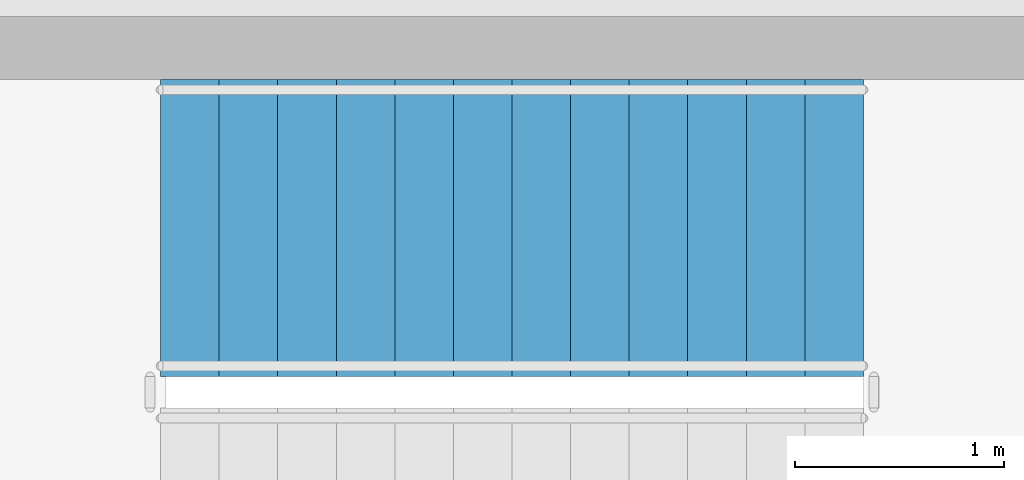
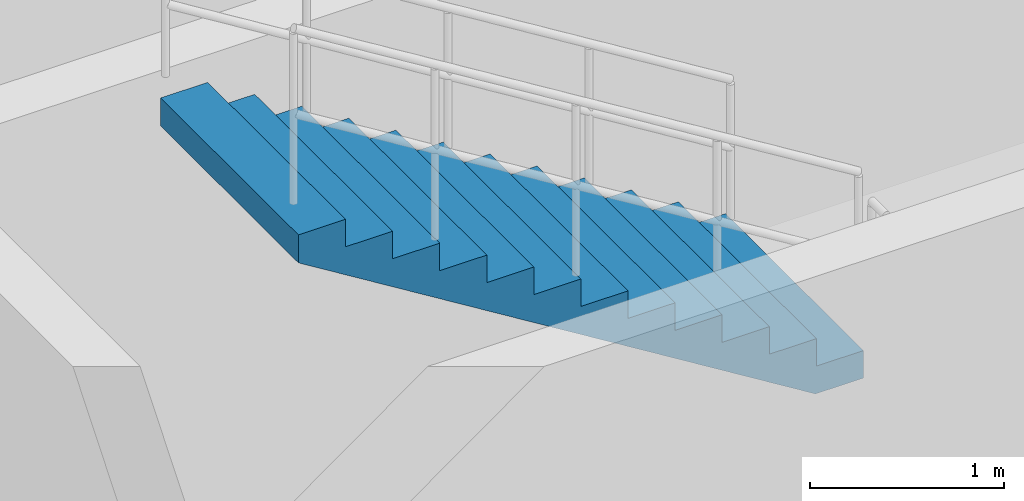
# One storey, part 33 of 40: 1 stair flight, 1 element without a shape of its own.
"""IFC4 building model written with IfcOpenShell, lengths in metres."""

from ifc_helpers import new_model, si_unit, direction, frame, origin, place, context, subcontext, project, spatial, polyline, outline, extrude, material, type_object, element, aggregate, save


model = new_model("IFC4")

# Units and contexts
model_context = context("Model", 3, precision=1e-05, world=origin(), true_north=direction((0.0, 1.0)))
body_context = subcontext(model_context, "Body", "Model", "MODEL_VIEW")
ifc_project = project(units=[si_unit("LENGTHUNIT", "METRE"), si_unit("AREAUNIT", "SQUARE_METRE"), si_unit("VOLUMEUNIT", "CUBIC_METRE"), si_unit("PLANEANGLEUNIT", "RADIAN"), si_unit("MASSUNIT", "GRAM", prefix="KILO")], contexts=[model_context])

# Site, building, storey
site_placement = place(None, origin())
site = spatial("IfcSite", under=ifc_project, at=site_placement, CompositionType="ELEMENT")
building_placement = place(site_placement, origin())
building = spatial("IfcBuilding", under=site, at=building_placement, Name="Tarnavaz Court Tower", CompositionType="ELEMENT")
storey_placement = place(building_placement, frame((0.0, 0.0, 64.199951171875)))
storey = spatial("IfcBuildingStorey", under=building, at=storey_placement, Name="L17", CompositionType="ELEMENT", Elevation=64.199951171875)

# Stair, stair flight
ifc_material = material(Name="Concrete C40/50", Category="concrete")
stair_type = type_object("IfcStairType", Name="ST-TWR-26R", PredefinedType="HALF_TURN_STAIR", material=ifc_material)
stair_placement = place(storey_placement, origin())
stair = element("IfcStair", 1, at=stair_placement, inside=storey, type_object=stair_type, Name="L17 East Core Pressurized Exit Stair ST-E1", PredefinedType="HALF_TURN_STAIR")
stair_flight_type = type_object("IfcStairFlightType", Name="SFL-RC-26R", PredefinedType="STRAIGHT", material=ifc_material)
stair_flight_placement = place(storey_placement, frame((15.080078125, 8.929931640625, 2.25), z_axis=(0.0, 0.0, 1.0), x_axis=(-1.0, 0.0, 0.0)))
stair_flight = element("IfcStairFlight", 2, at=stair_flight_placement, type_object=stair_flight_type, Name="ST-E1 flight 2", NumberOfRisers=13, NumberOfTreads=12, PredefinedType="STRAIGHT", RiserHeight=0.173076923, TreadLength=0.28, context=body_context, shape_type="SweptSolid", body=[
    extrude(outline(polyline([(0.0, 0.0), (0.0, 0.173095703125), (0.280029296875, 0.173095703125), (0.280029296875, 0.34619140625), (0.56005859375, 0.34619140625), (0.56005859375, 0.519287109375), (0.840087890625, 0.519287109375), (0.840087890625, 0.6923828125), (1.1201171875, 0.6923828125), (1.1201171875, 0.865478515625), (1.39990234375, 0.865478515625), (1.39990234375, 1.03857421875), (1.679931640625, 1.03857421875), (1.679931640625, 1.21142578125), (1.9599609375, 1.21142578125), (1.9599609375, 1.384521484375), (2.239990234375, 1.384521484375), (2.239990234375, 1.5576171875), (2.52001953125, 1.5576171875), (2.52001953125, 1.730712890625), (2.800048828125, 1.730712890625), (2.800048828125, 1.90380859375), (3.080078125, 1.90380859375), (3.080078125, 2.076904296875), (3.360107421875, 2.076904296875), (3.360107421875, 2.25), (3.360107421875, 1.900634765625), (0.28515625, 0.0), (0.0, 0.0)])), frame((0.0, 0.7099609375, 0.0), z_axis=(0.0, -1.0, 0.0), x_axis=(1.0, 0.0, 0.0)), (0.0, 0.0, 1.0), 1.419921875),
])
aggregate(stair, [stair_flight])

save(model, "model.ifc")
